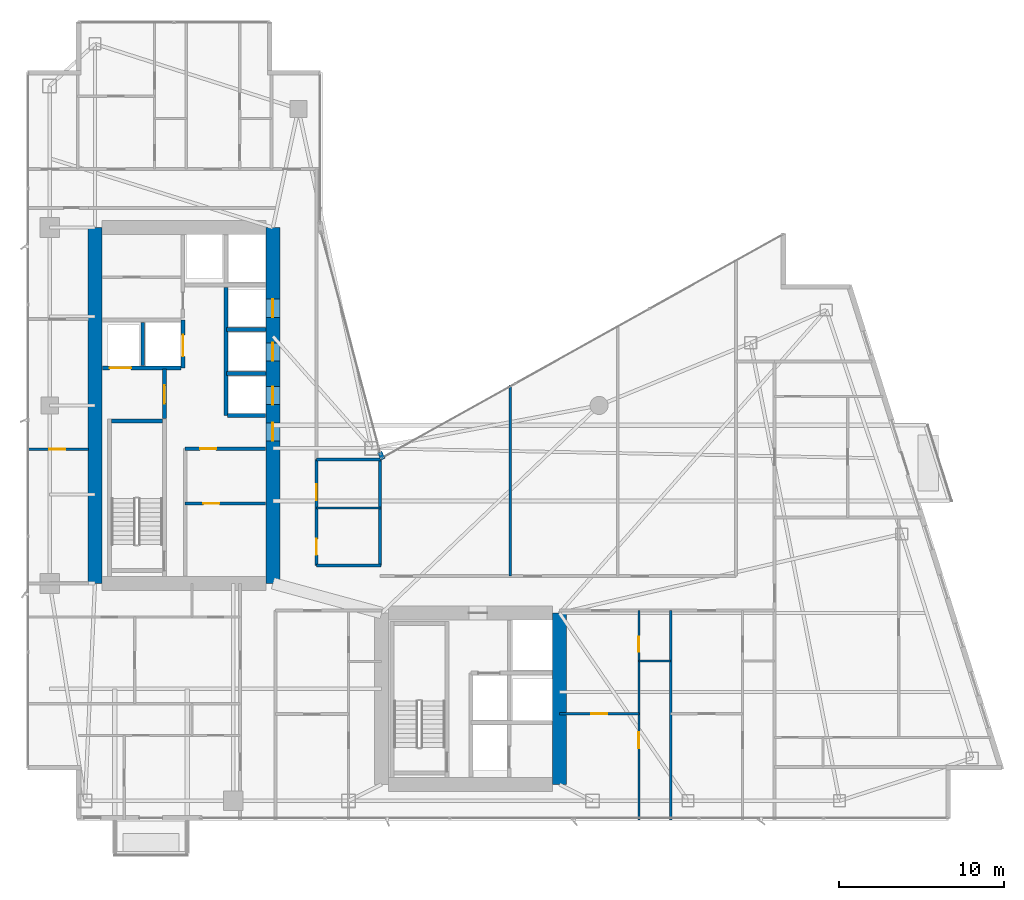
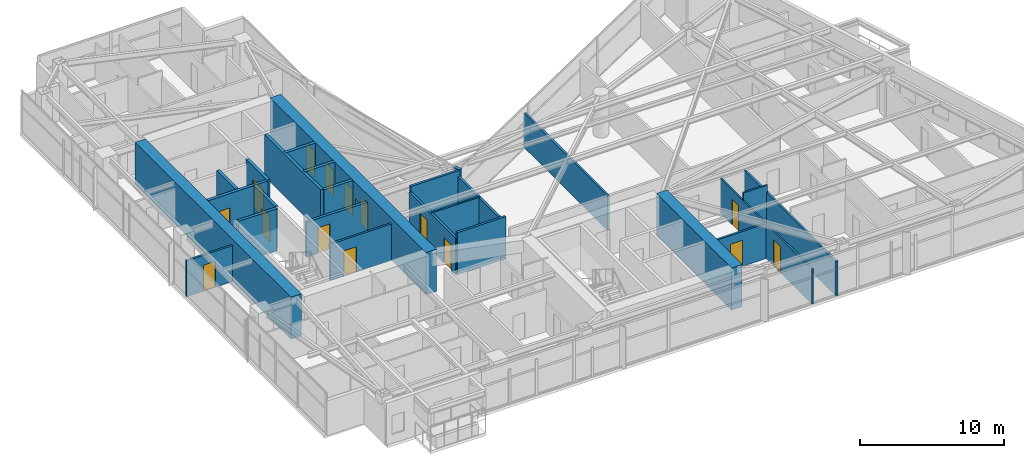
# One storey, part 23 of 28: 26 walls, 15 doors, 15 openings.
"""IFC4 building model written with IfcOpenShell, lengths in metres."""

from ifc_helpers import new_model, si_unit, direction, frame, frame_2d, origin, place, context, subcontext, project, spatial, rectangle, extrude, material, layer, layer_set, type_object, element, fill, save


model = new_model("IFC4")

# Units and contexts
model_context = context("Model", 3, precision=1e-05, world=origin(), true_north=direction((0.0, 1.0)))
body_context = subcontext(model_context, "Body", "Model", "MODEL_VIEW")
ifc_project = project(units=[si_unit("LENGTHUNIT", "METRE"), si_unit("AREAUNIT", "SQUARE_METRE"), si_unit("VOLUMEUNIT", "CUBIC_METRE"), si_unit("PLANEANGLEUNIT", "RADIAN"), si_unit("MASSUNIT", "GRAM", prefix="KILO")], contexts=[model_context])

# Site, building, storey
site_placement = place(None, origin())
site = spatial("IfcSite", under=ifc_project, at=site_placement, CompositionType="ELEMENT")
building_placement = place(site_placement, origin())
building = spatial("IfcBuilding", under=site, at=building_placement, Name="Calvorn Quay Hotel", CompositionType="ELEMENT")
storey_placement = place(building_placement, frame((0.0, 0.0, 159.89990234375)))
storey = spatial("IfcBuildingStorey", under=building, at=storey_placement, Name="L39", CompositionType="ELEMENT", Elevation=159.89990234375)

# Wall
ifc_material_1 = material(Name="Concrete C50", Category="concrete")
ifc_layer_1 = layer(ifc_material_1, 0.85009765625)
ifc_layer_set_1 = layer_set([ifc_layer_1], Name="WL-CORE-850")
wall_type_1 = type_object("IfcWallType", Name="WL-CORE-850", PredefinedType="SHEAR", material=ifc_layer_set_1)
wall_1_placement = place(storey_placement, frame((4.199951171875, 16.800048828125, 0.0), z_axis=(0.0, 0.0, 1.0), x_axis=(0.0, 1.0, 0.0)))
element("IfcWall", 1, at=wall_1_placement, inside=storey, type_object=wall_type_1, Name="West Core Shear Wall W (L39)", PredefinedType="SHEAR", context=body_context, shape_type="SweptSolid", body=[
    extrude(rectangle(XDim=21.599853515625, YDim=0.85009765625, at=frame_2d((10.7998046875, 0.0))), origin(), (0.0, 0.0, 1.0), 3.56005859375),
])

# Wall, openings, doors
wall_2_placement = place(storey_placement, frame((15.0, 16.800048828125, 0.0), z_axis=(0.0, 0.0, 1.0), x_axis=(0.0, 1.0, 0.0)))
wall_2 = element("IfcWall", 2, at=wall_2_placement, inside=storey, type_object=wall_type_1, Name="West Core Shear Wall E (L39)", PredefinedType="SHEAR", context=body_context, shape_type="SweptSolid", body=[
    extrude(rectangle(XDim=21.599853515625, YDim=0.85009765625, at=frame_2d((10.7998046875, 0.0))), origin(), (0.0, 0.0, 1.0), 3.56005859375),
])
opening_1_placement = place(wall_2_placement, frame((8.64990234375, 0.0, 0.0)))
opening_1 = element("IfcOpeningElement", 3, at=opening_1_placement, cuts=wall_2, Name="Opening D-L39-CW1", PredefinedType="OPENING", context=body_context, shape_type="SweptSolid", body=[
    extrude(rectangle(XDim=1.10009765625, YDim=2.199951171875, at=frame_2d((0.550048828125, 1.10009765625))), frame((0.0, 0.43505859375, 0.0), z_axis=(0.0, -1.0, 0.0), x_axis=(1.0, 0.0, 0.0)), (0.0, 0.0, 1.0), 0.8701171875),
])
opening_2_placement = place(wall_2_placement, frame((10.85009765625, 0.0, 0.0)))
opening_2 = element("IfcOpeningElement", 4, at=opening_2_placement, cuts=wall_2, Name="Opening LD-L39-M1", PredefinedType="OPENING", context=body_context, shape_type="SweptSolid", body=[
    extrude(rectangle(XDim=1.10009765625, YDim=2.199951171875, at=frame_2d((0.550048828125, 1.10009765625))), frame((0.0, 0.43505859375, 0.0), z_axis=(0.0, -1.0, 0.0), x_axis=(1.0, 0.0, 0.0)), (0.0, 0.0, 1.0), 0.8701171875),
])
opening_3_placement = place(wall_2_placement, frame((13.5, 0.0, 0.0)))
opening_3 = element("IfcOpeningElement", 5, at=opening_3_placement, cuts=wall_2, Name="Opening LD-L39-M2", PredefinedType="OPENING", context=body_context, shape_type="SweptSolid", body=[
    extrude(rectangle(XDim=1.10009765625, YDim=2.199951171875, at=frame_2d((0.550048828125, 1.10009765625))), frame((0.0, 0.43505859375, 0.0), z_axis=(0.0, -1.0, 0.0), x_axis=(1.0, 0.0, 0.0)), (0.0, 0.0, 1.0), 0.8701171875),
])
opening_4_placement = place(wall_2_placement, frame((16.14990234375, 0.0, 0.0)))
opening_4 = element("IfcOpeningElement", 6, at=opening_4_placement, cuts=wall_2, Name="Opening LD-L39-M3", PredefinedType="OPENING", context=body_context, shape_type="SweptSolid", body=[
    extrude(rectangle(XDim=1.10009765625, YDim=2.199951171875, at=frame_2d((0.550048828125, 1.10009765625))), frame((0.0, 0.43505859375, 0.0), z_axis=(0.0, -1.0, 0.0), x_axis=(1.0, 0.0, 0.0)), (0.0, 0.0, 1.0), 0.8701171875),
])
ifc_material_2 = material(Name="Smoke-Sealed Steel Class A Fire Door", Category="steel")
door_type_1 = type_object("IfcDoorType", Name="DR-FFLOBBY-1100", OperationType="NOTDEFINED", PredefinedType="DOOR", material=ifc_material_2)
door_1_placement = place(opening_1_placement, origin())
door_1 = element("IfcDoor", 7, at=door_1_placement, inside=storey, type_object=door_type_1, Name="West Core Vestibule Fire Door (L39)", OperationType="SINGLE_SWING_RIGHT", OverallHeight=2.199951171875, OverallWidth=1.10009765625, PredefinedType="DOOR", context=body_context, shape_type="SweptSolid", body=[
    extrude(rectangle(XDim=1.10009765625, YDim=2.199951171875, at=frame_2d((0.550048828125, 1.10009765625))), frame((0.0, 0.02490234375, 0.0), z_axis=(0.0, -1.0, 0.0), x_axis=(1.0, 0.0, 0.0)), (0.0, 0.0, 1.0), 0.050048828125),
])
fill(opening_1, door_1)
ifc_material_3 = material(Name="Brushed Stainless Steel Sliding Lift Landing Door", Category="steel")
door_type_2 = type_object("IfcDoorType", Name="DR-LIFT-PASS-1100", OperationType="NOTDEFINED", PredefinedType="DOOR", material=ifc_material_3)
door_2_placement = place(opening_2_placement, origin())
door_2 = element("IfcDoor", 8, at=door_2_placement, inside=storey, type_object=door_type_2, Name="Mid-Rise Lift PL-M1 Landing Door (L39)", OperationType="DOUBLE_DOOR_SLIDING", OverallHeight=2.199951171875, OverallWidth=1.10009765625, PredefinedType="DOOR", context=body_context, shape_type="SweptSolid", body=[
    extrude(rectangle(XDim=1.10009765625, YDim=2.199951171875, at=frame_2d((0.550048828125, 1.10009765625))), frame((0.0, 0.02490234375, 0.0), z_axis=(0.0, -1.0, 0.0), x_axis=(1.0, 0.0, 0.0)), (0.0, 0.0, 1.0), 0.050048828125),
])
fill(opening_2, door_2)
door_3_placement = place(opening_3_placement, origin())
door_3 = element("IfcDoor", 9, at=door_3_placement, inside=storey, type_object=door_type_2, Name="Mid-Rise Lift PL-M2 Landing Door (L39)", OperationType="DOUBLE_DOOR_SLIDING", OverallHeight=2.199951171875, OverallWidth=1.10009765625, PredefinedType="DOOR", context=body_context, shape_type="SweptSolid", body=[
    extrude(rectangle(XDim=1.10009765625, YDim=2.199951171875, at=frame_2d((0.550048828125, 1.10009765625))), frame((0.0, 0.02490234375, 0.0), z_axis=(0.0, -1.0, 0.0), x_axis=(1.0, 0.0, 0.0)), (0.0, 0.0, 1.0), 0.050048828125),
])
fill(opening_3, door_3)
door_4_placement = place(opening_4_placement, origin())
door_4 = element("IfcDoor", 10, at=door_4_placement, inside=storey, type_object=door_type_2, Name="Mid-Rise Lift PL-M3 Landing Door (L39)", OperationType="DOUBLE_DOOR_SLIDING", OverallHeight=2.199951171875, OverallWidth=1.10009765625, PredefinedType="DOOR", context=body_context, shape_type="SweptSolid", body=[
    extrude(rectangle(XDim=1.10009765625, YDim=2.199951171875, at=frame_2d((0.550048828125, 1.10009765625))), frame((0.0, 0.02490234375, 0.0), z_axis=(0.0, -1.0, 0.0), x_axis=(1.0, 0.0, 0.0)), (0.0, 0.0, 1.0), 0.050048828125),
])
fill(opening_4, door_4)

# Walls
wall_3_placement = place(storey_placement, frame((32.39990234375, 4.60009765625, 0.0), z_axis=(0.0, 0.0, 1.0), x_axis=(0.0, 1.0, 0.0)))
element("IfcWall", 11, at=wall_3_placement, inside=storey, type_object=wall_type_1, Name="East Core Shear Wall E (L39)", PredefinedType="SHEAR", context=body_context, shape_type="SweptSolid", body=[
    extrude(rectangle(XDim=10.39990234375, YDim=0.85009765625, at=frame_2d((5.199951171875, 0.0))), origin(), (0.0, 0.0, 1.0), 3.56005859375),
])
ifc_material_4 = material(Name="Acoustic Fireboard Steel-Stud Partition", Category="steel")
ifc_layer_2 = layer(ifc_material_4, 0.179931640625)
ifc_layer_set_2 = layer_set([ifc_layer_2], Name="WL-CORR-FIRE-180")
wall_type_2 = type_object("IfcWallType", Name="WL-CORR-FIRE-180", PredefinedType="PARTITIONING", material=ifc_layer_set_2)
wall_4_placement = place(storey_placement, frame((17.64990234375, 17.8798828125, 0.0), z_axis=(0.0, 0.0, 1.0), x_axis=(1.0, 0.0, 0.0)))
element("IfcWall", 12, at=wall_4_placement, inside=storey, type_object=wall_type_2, Name="Partition Wall L39-WL-HK-S", PredefinedType="PARTITIONING", context=body_context, shape_type="SweptSolid", body=[
    extrude(rectangle(XDim=3.900146484375, YDim=0.179931640625, at=frame_2d((1.9501953125, 0.0))), origin(), (0.0, 0.0, 1.0), 3.56005859375),
])
wall_5_placement = place(storey_placement, frame((17.64990234375, 24.320068359375, 0.0), z_axis=(0.0, 0.0, 1.0), x_axis=(1.0, 0.0, 0.0)))
element("IfcWall", 13, at=wall_5_placement, inside=storey, type_object=wall_type_2, Name="Partition Wall L39-WL-HK-N", PredefinedType="PARTITIONING", context=body_context, shape_type="SweptSolid", body=[
    extrude(rectangle(XDim=3.9501953125, YDim=0.179931640625, at=frame_2d((1.97509765625, 0.0))), origin(), (0.0, 0.0, 1.0), 3.56005859375),
])
wall_6_placement = place(storey_placement, frame((21.5, 17.8798828125, 0.0), z_axis=(0.0, 0.0, 1.0), x_axis=(0.0, 1.0, 0.0)))
element("IfcWall", 14, at=wall_6_placement, inside=storey, type_object=wall_type_2, Name="Partition Wall L39-WL-HK-E", PredefinedType="PARTITIONING", context=body_context, shape_type="SweptSolid", body=[
    extrude(rectangle(XDim=6.440185546875, YDim=0.179931640625, at=frame_2d((3.22021484375, 0.0))), origin(), (0.0, 0.0, 1.0), 3.090087890625),
])

# Wall, openings, doors
wall_7_placement = place(storey_placement, frame((17.64990234375, 17.8798828125, 0.0), z_axis=(0.0, 0.0, 1.0), x_axis=(0.0, 1.0, 0.0)))
wall_7 = element("IfcWall", 15, at=wall_7_placement, inside=storey, type_object=wall_type_2, Name="Partition Wall L39-WL-HK-W", PredefinedType="PARTITIONING", context=body_context, shape_type="SweptSolid", body=[
    extrude(rectangle(XDim=6.440185546875, YDim=0.179931640625, at=frame_2d((3.22021484375, 0.0))), origin(), (0.0, 0.0, 1.0), 3.090087890625),
])
opening_5_placement = place(wall_7_placement, frame((0.64990234375, 0.0, 0.0)))
opening_5 = element("IfcOpeningElement", 16, at=opening_5_placement, cuts=wall_7, Name="Opening D-L39-HK", PredefinedType="OPENING", context=body_context, shape_type="SweptSolid", body=[
    extrude(rectangle(XDim=0.97998046875, YDim=2.14990234375, at=frame_2d((0.489990234375, 1.074951171875))), frame((0.0, 0.099853515625, 0.0), z_axis=(0.0, -1.0, 0.0), x_axis=(1.0, 0.0, 0.0)), (0.0, 0.0, 1.0), 0.199951171875),
])
opening_6_placement = place(wall_7_placement, frame((3.969970703125, 0.0, 0.0)))
opening_6 = element("IfcOpeningElement", 17, at=opening_6_placement, cuts=wall_7, Name="Opening D-L39-NCP", PredefinedType="OPENING", context=body_context, shape_type="SweptSolid", body=[
    extrude(rectangle(XDim=0.9599609375, YDim=2.199951171875, at=frame_2d((0.47998046875, 1.10009765625))), frame((0.0, 0.099853515625, 0.0), z_axis=(0.0, -1.0, 0.0), x_axis=(1.0, 0.0, 0.0)), (0.0, 0.0, 1.0), 0.199951171875),
])
ifc_material_5 = material(Name="Painted Steel Housekeeping/Riser Fire Door", Category="steel")
door_type_3 = type_object("IfcDoorType", Name="DR-SERVICE-980", OperationType="NOTDEFINED", PredefinedType="DOOR", material=ifc_material_5)
door_5_placement = place(opening_5_placement, origin())
door_5 = element("IfcDoor", 18, at=door_5_placement, inside=storey, type_object=door_type_3, Name="Floor Housekeeping Door (L39)", OperationType="SINGLE_SWING_LEFT", OverallHeight=2.14990234375, OverallWidth=0.97998046875, PredefinedType="DOOR", context=body_context, shape_type="SweptSolid", body=[
    extrude(rectangle(XDim=0.97998046875, YDim=2.14990234375, at=frame_2d((0.489990234375, 1.074951171875))), frame((0.0, 0.02490234375, 0.0), z_axis=(0.0, -1.0, 0.0), x_axis=(1.0, 0.0, 0.0)), (0.0, 0.0, 1.0), 0.050048828125),
])
fill(opening_5, door_5)
ifc_material_6 = material(Name="Solid Timber Internal Suite Door", Category="wood")
door_type_4 = type_object("IfcDoorType", Name="DR-SUITE-INT-960", OperationType="NOTDEFINED", PredefinedType="DOOR", material=ifc_material_6)
door_6_placement = place(opening_6_placement, origin())
door_6 = element("IfcDoor", 19, at=door_6_placement, inside=storey, type_object=door_type_4, Name="Reading Alcove Door (L39)", OperationType="SINGLE_SWING_RIGHT", OverallHeight=2.199951171875, OverallWidth=0.9599609375, PredefinedType="DOOR", context=body_context, shape_type="SweptSolid", body=[
    extrude(rectangle(XDim=0.9599609375, YDim=2.199951171875, at=frame_2d((0.47998046875, 1.10009765625))), frame((0.0, 0.02490234375, 0.0), z_axis=(0.0, -1.0, 0.0), x_axis=(1.0, 0.0, 0.0)), (0.0, 0.0, 1.0), 0.050048828125),
])
fill(opening_6, door_6)

# Walls
ifc_material_7 = material(Name="Moisture-Resistant Tile-Backed Partition")
ifc_layer_3 = layer(ifc_material_7, 0.125)
ifc_layer_set_3 = layer_set([ifc_layer_3], Name="WL-ENSUITE-125")
wall_type_3 = type_object("IfcWallType", Name="WL-ENSUITE-125", PredefinedType="PARTITIONING", material=ifc_layer_set_3)
wall_8_placement = place(storey_placement, frame((17.64990234375, 21.3798828125, 0.0), z_axis=(0.0, 0.0, 1.0), x_axis=(1.0, 0.0, 0.0)))
element("IfcWall", 20, at=wall_8_placement, inside=storey, type_object=wall_type_3, Name="Partition Wall L39-WL-HK-M", PredefinedType="PARTITIONING", context=body_context, shape_type="SweptSolid", body=[
    extrude(rectangle(XDim=3.900146484375, YDim=0.125, at=frame_2d((1.9501953125, 0.0))), origin(), (0.0, 0.0, 1.0), 3.090087890625),
])
wall_9_placement = place(storey_placement, frame((37.219970703125, 12.10009765625, 0.0), z_axis=(0.0, 0.0, 1.0), x_axis=(1.0, 0.0, 0.0)))
element("IfcWall", 21, at=wall_9_placement, inside=storey, type_object=wall_type_3, Name="Partition Wall L39-WL-U06-BDV", PredefinedType="PARTITIONING", context=body_context, shape_type="SweptSolid", body=[
    extrude(rectangle(XDim=1.929931640625, YDim=0.125, at=frame_2d((0.96484375, 0.0))), origin(), (0.0, 0.0, 1.0), 3.56005859375),
])

# Wall, openings, doors
wall_10_placement = place(storey_placement, frame((37.219970703125, 2.43994140625, 0.0), z_axis=(0.0, 0.0, 1.0), x_axis=(0.0, 1.0, 0.0)))
wall_10 = element("IfcWall", 22, at=wall_10_placement, inside=storey, type_object=wall_type_3, Name="Partition Wall L39-WL-U06-BV", PredefinedType="PARTITIONING", context=body_context, shape_type="SweptSolid", body=[
    extrude(rectangle(XDim=12.7099609375, YDim=0.125, at=frame_2d((6.35498046875, 0.0))), origin(), (0.0, 0.0, 1.0), 2.940185546875),
])
opening_7_placement = place(wall_10_placement, frame((4.35009765625, 0.0, 0.0)))
opening_7 = element("IfcOpeningElement", 23, at=opening_7_placement, cuts=wall_10, Name="Opening D-L39-S06", PredefinedType="OPENING", context=body_context, shape_type="SweptSolid", body=[
    extrude(rectangle(XDim=0.9599609375, YDim=2.199951171875, at=frame_2d((0.47998046875, 1.10009765625))), frame((0.0, 0.072509765625, 0.0), z_axis=(0.0, -1.0, 0.0), x_axis=(1.0, 0.0, 0.0)), (0.0, 0.0, 1.0), 0.14501953125),
])
opening_8_placement = place(wall_10_placement, frame((10.2099609375, 0.0, 0.0)))
opening_8 = element("IfcOpeningElement", 24, at=opening_8_placement, cuts=wall_10, Name="Opening D-L39-E06", PredefinedType="OPENING", context=body_context, shape_type="SweptSolid", body=[
    extrude(rectangle(XDim=0.89990234375, YDim=2.14990234375, at=frame_2d((0.449951171875, 1.074951171875))), frame((0.0, 0.072509765625, 0.0), z_axis=(0.0, -1.0, 0.0), x_axis=(1.0, 0.0, 0.0)), (0.0, 0.0, 1.0), 0.14501953125),
])
ifc_material_8 = material(Name="Moisture-Sealed Timber En-Suite Door", Category="wood")
door_type_5 = type_object("IfcDoorType", Name="DR-ENSUITE-900", OperationType="NOTDEFINED", PredefinedType="DOOR", material=ifc_material_8)
door_7_placement = place(opening_8_placement, origin())
door_7 = element("IfcDoor", 25, at=door_7_placement, inside=storey, type_object=door_type_5, Name="En-Suite Door 06", OperationType="SINGLE_SWING_RIGHT", OverallHeight=2.14990234375, OverallWidth=0.89990234375, PredefinedType="DOOR", context=body_context, shape_type="SweptSolid", body=[
    extrude(rectangle(XDim=0.89990234375, YDim=2.14990234375, at=frame_2d((0.449951171875, 1.074951171875))), frame((0.0, 0.02490234375, 0.0), z_axis=(0.0, -1.0, 0.0), x_axis=(1.0, 0.0, 0.0)), (0.0, 0.0, 1.0), 0.050048828125),
])
fill(opening_8, door_7)
door_8_placement = place(opening_7_placement, origin())
door_8 = element("IfcDoor", 26, at=door_8_placement, inside=storey, type_object=door_type_4, Name="Botanical Winter Garden Door 06", OperationType="SINGLE_SWING_LEFT", OverallHeight=2.199951171875, OverallWidth=0.9599609375, PredefinedType="DOOR", context=body_context, shape_type="SweptSolid", body=[
    extrude(rectangle(XDim=0.9599609375, YDim=2.199951171875, at=frame_2d((0.47998046875, 1.10009765625))), frame((0.0, 0.02490234375, 0.0), z_axis=(0.0, -1.0, 0.0), x_axis=(1.0, 0.0, 0.0)), (0.0, 0.0, 1.0), 0.050048828125),
])
fill(opening_7, door_8)

# Wall
ifc_material_9 = material(Name="Concrete C40", Category="concrete")
ifc_layer_4 = layer(ifc_material_9, 0.320068359375)
ifc_layer_set_4 = layer_set([ifc_layer_4], Name="WL-EXT-SPANDREL-320")
wall_type_4 = type_object("IfcWallType", Name="WL-EXT-SPANDREL-320", PredefinedType="SOLIDWALL", material=ifc_layer_set_4)
wall_11_placement = place(storey_placement, frame((21.679931640625, 24.340087890625, 0.0), z_axis=(0.0, 0.0, 1.0), x_axis=(-0.40758134973, 0.913168901875, 0.0)))
element("IfcWall", 27, at=wall_11_placement, inside=storey, type_object=wall_type_4, Name="Inner Court Corner Pier L39-ICJ1", PredefinedType="SOLIDWALL", context=body_context, shape_type="SweptSolid", body=[
    extrude(rectangle(XDim=0.470703125, YDim=0.280029296875, at=frame_2d((0.2353515625, 0.0))), origin(), (0.0, 0.0, 1.0), 3.56005859375),
])

# Wall, opening, door
ifc_material_10 = material(Name="Double-Stud Acoustic Gypsum Partition")
ifc_layer_5 = layer(ifc_material_10, 0.159912109375)
ifc_layer_set_5 = layer_set([ifc_layer_5], Name="WL-INTERSUITE-160")
wall_type_5 = type_object("IfcWallType", Name="WL-INTERSUITE-160", PredefinedType="PARTITIONING", material=ifc_layer_set_5)
wall_12_placement = place(storey_placement, frame((9.679931640625, 21.64990234375, 0.0), z_axis=(0.0, 0.0, 1.0), x_axis=(1.0, 0.0, 0.0)))
wall_12 = element("IfcWall", 28, at=wall_12_placement, inside=storey, type_object=wall_type_5, Name="Partition Wall L39-WL-CWW-FR-SPLIT", PredefinedType="PARTITIONING", context=body_context, shape_type="SweptSolid", body=[
    extrude(rectangle(XDim=4.875, YDim=0.159912109375, at=frame_2d((2.4375, 0.0))), origin(), (0.0, 0.0, 1.0), 3.090087890625),
])
opening_9_placement = place(wall_12_placement, frame((1.10009765625, 0.0, 0.0)))
opening_9 = element("IfcOpeningElement", 29, at=opening_9_placement, cuts=wall_12, Name="Opening D-L39-FRL1", PredefinedType="OPENING", context=body_context, shape_type="SweptSolid", body=[
    extrude(rectangle(XDim=0.97998046875, YDim=2.14990234375, at=frame_2d((0.489990234375, 1.074951171875))), frame((0.0, 0.08984375, 0.0), z_axis=(0.0, -1.0, 0.0), x_axis=(1.0, 0.0, 0.0)), (0.0, 0.0, 1.0), 0.179931640625),
])
door_9_placement = place(opening_9_placement, origin())
door_9 = element("IfcDoor", 30, at=door_9_placement, inside=storey, type_object=door_type_3, Name="Linen Store Room Door (L39)", OperationType="SINGLE_SWING_LEFT", OverallHeight=2.14990234375, OverallWidth=0.97998046875, PredefinedType="DOOR", context=body_context, shape_type="SweptSolid", body=[
    extrude(rectangle(XDim=0.97998046875, YDim=2.14990234375, at=frame_2d((0.489990234375, 1.074951171875))), frame((0.0, 0.02490234375, 0.0), z_axis=(0.0, -1.0, 0.0), x_axis=(1.0, 0.0, 0.0)), (0.0, 0.0, 1.0), 0.050048828125),
])
fill(opening_9, door_9)

wall_13_placement = place(storey_placement, frame((0.080078125, 24.949951171875, 0.0), z_axis=(0.0, 0.0, 1.0), x_axis=(1.0, 0.0, 0.0)))
wall_13 = element("IfcWall", 31, at=wall_13_placement, inside=storey, type_object=wall_type_5, Name="Partition Wall L39-WL-WBAY-DIVA", PredefinedType="PARTITIONING", context=body_context, shape_type="SweptSolid", body=[
    extrude(rectangle(XDim=3.724853515625, YDim=0.159912109375, at=frame_2d((1.8623046875, 0.0))), origin(), (0.0, 0.0, 1.0), 3.0400390625),
])
opening_10_placement = place(wall_13_placement, frame((1.35009765625, 0.0, 0.0)))
opening_10 = element("IfcOpeningElement", 32, at=opening_10_placement, cuts=wall_13, Name="Opening D-L39-WBA", PredefinedType="OPENING", context=body_context, shape_type="SweptSolid", body=[
    extrude(rectangle(XDim=0.9599609375, YDim=2.199951171875, at=frame_2d((0.47998046875, 1.10009765625))), frame((0.0, 0.08984375, 0.0), z_axis=(0.0, -1.0, 0.0), x_axis=(1.0, 0.0, 0.0)), (0.0, 0.0, 1.0), 0.179931640625),
])
door_10_placement = place(opening_10_placement, origin())
door_10 = element("IfcDoor", 33, at=door_10_placement, inside=storey, type_object=door_type_4, Name="West South Connecting Door (L39)", OperationType="SINGLE_SWING_LEFT", OverallHeight=2.199951171875, OverallWidth=0.9599609375, PredefinedType="DOOR", context=body_context, shape_type="SweptSolid", body=[
    extrude(rectangle(XDim=0.9599609375, YDim=2.199951171875, at=frame_2d((0.47998046875, 1.10009765625))), frame((0.0, 0.02490234375, 0.0), z_axis=(0.0, -1.0, 0.0), x_axis=(1.0, 0.0, 0.0)), (0.0, 0.0, 1.0), 0.050048828125),
])
fill(opening_10, door_10)

wall_14_placement = place(storey_placement, frame((32.39990234375, 8.8798828125, 0.0), z_axis=(0.0, 0.0, 1.0), x_axis=(1.0, 0.0, 0.0)))
wall_14 = element("IfcWall", 34, at=wall_14_placement, inside=storey, type_object=wall_type_5, Name="Partition Wall L39-WL-U06-MSP", PredefinedType="PARTITIONING", context=body_context, shape_type="SweptSolid", body=[
    extrude(rectangle(XDim=4.820068359375, YDim=0.159912109375, at=frame_2d((2.41015625, 0.0))), origin(), (0.0, 0.0, 1.0), 2.940185546875),
])
opening_11_placement = place(wall_14_placement, frame((1.929931640625, 0.0, 0.0)))
opening_11 = element("IfcOpeningElement", 35, at=opening_11_placement, cuts=wall_14, Name="Opening D-L39-M06", PredefinedType="OPENING", context=body_context, shape_type="SweptSolid", body=[
    extrude(rectangle(XDim=0.9599609375, YDim=2.199951171875, at=frame_2d((0.47998046875, 1.10009765625))), frame((0.0, 0.08984375, 0.0), z_axis=(0.0, -1.0, 0.0), x_axis=(1.0, 0.0, 0.0)), (0.0, 0.0, 1.0), 0.179931640625),
])
door_11_placement = place(opening_11_placement, origin())
door_11 = element("IfcDoor", 36, at=door_11_placement, inside=storey, type_object=door_type_4, Name="Suite Bedroom Door 06", OperationType="SINGLE_SWING_LEFT", OverallHeight=2.199951171875, OverallWidth=0.9599609375, PredefinedType="DOOR", context=body_context, shape_type="SweptSolid", body=[
    extrude(rectangle(XDim=0.9599609375, YDim=2.199951171875, at=frame_2d((0.47998046875, 1.10009765625))), frame((0.0, 0.02490234375, 0.0), z_axis=(0.0, -1.0, 0.0), x_axis=(1.0, 0.0, 0.0)), (0.0, 0.0, 1.0), 0.050048828125),
])
fill(opening_11, door_11)

# Walls
wall_15_placement = place(storey_placement, frame((39.14990234375, 2.43994140625, 0.0), z_axis=(0.0, 0.0, 1.0), x_axis=(0.0, 1.0, 0.0)))
element("IfcWall", 37, at=wall_15_placement, inside=storey, type_object=wall_type_5, Name="Partition Wall L39-WL-SE-DIV-1", PredefinedType="PARTITIONING", context=body_context, shape_type="SweptSolid", body=[
    extrude(rectangle(XDim=12.7099609375, YDim=0.159912109375, at=frame_2d((6.35498046875, 0.0))), origin(), (0.0, 0.0, 1.0), 2.940185546875),
])
wall_16_placement = place(storey_placement, frame((29.419921875, 17.25, 0.0), z_axis=(0.0, 0.0, 1.0), x_axis=(0.0, 1.0, 0.0)))
element("IfcWall", 38, at=wall_16_placement, inside=storey, type_object=wall_type_5, Name="Partition Wall L39-WL-NE-DIV-1", PredefinedType="PARTITIONING", context=body_context, shape_type="SweptSolid", body=[
    extrude(rectangle(XDim=11.590087890625, YDim=0.159912109375, at=frame_2d((5.794921875, 0.0))), origin(), (0.0, 0.0, 1.0), 2.940185546875),
])

# Wall, opening, door
ifc_material_11 = material(Name="Autoclaved Aerated Masonry Block", Category="masonry")
ifc_layer_6 = layer(ifc_material_11, 0.219970703125)
ifc_layer_set_6 = layer_set([ifc_layer_6], Name="WL-LOBBY-FIRE-220")
wall_type_6 = type_object("IfcWallType", Name="WL-LOBBY-FIRE-220", PredefinedType="SOLIDWALL", material=ifc_layer_set_6)
wall_17_placement = place(storey_placement, frame((9.679931640625, 24.969970703125, 0.0), z_axis=(0.0, 0.0, 1.0), x_axis=(1.0, 0.0, 0.0)))
wall_17 = element("IfcWall", 39, at=wall_17_placement, inside=storey, type_object=wall_type_6, Name="Partition Wall L39-WL-CWW-FR-N", PredefinedType="SOLIDWALL", context=body_context, shape_type="SweptSolid", body=[
    extrude(rectangle(XDim=4.875, YDim=0.219970703125, at=frame_2d((2.4375, 0.0))), origin(), (0.0, 0.0, 1.0), 2.940185546875),
])
opening_12_placement = place(wall_17_placement, frame((0.89990234375, 0.0, 0.0)))
opening_12 = element("IfcOpeningElement", 40, at=opening_12_placement, cuts=wall_17, Name="Opening D-L39-FRL2", PredefinedType="OPENING", context=body_context, shape_type="SweptSolid", body=[
    extrude(rectangle(XDim=0.97998046875, YDim=2.14990234375, at=frame_2d((0.489990234375, 1.074951171875))), frame((0.0, 0.119873046875, 0.0), z_axis=(0.0, -1.0, 0.0), x_axis=(1.0, 0.0, 0.0)), (0.0, 0.0, 1.0), 0.239990234375),
])
door_12_placement = place(opening_12_placement, origin())
door_12 = element("IfcDoor", 41, at=door_12_placement, inside=storey, type_object=door_type_3, Name="Beverage Pantry Door (L39)", OperationType="SINGLE_SWING_RIGHT", OverallHeight=2.14990234375, OverallWidth=0.97998046875, PredefinedType="DOOR", context=body_context, shape_type="SweptSolid", body=[
    extrude(rectangle(XDim=0.97998046875, YDim=2.14990234375, at=frame_2d((0.489990234375, 1.074951171875))), frame((0.0, 0.02490234375, 0.0), z_axis=(0.0, -1.0, 0.0), x_axis=(1.0, 0.0, 0.0)), (0.0, 0.0, 1.0), 0.050048828125),
])
fill(opening_12, door_12)

# Walls
ifc_material_12 = material(Name="Concrete C40", Category="concrete")
ifc_layer_7 = layer(ifc_material_12, 0.239990234375)
ifc_layer_set_7 = layer_set([ifc_layer_7], Name="WL-SHAFT-240")
wall_type_7 = type_object("IfcWallType", Name="WL-SHAFT-240", PredefinedType="SOLIDWALL", material=ifc_layer_set_7)
wall_18_placement = place(storey_placement, frame((5.199951171875, 26.669921875, 0.0), z_axis=(0.0, 0.0, 1.0), x_axis=(1.0, 0.0, 0.0)))
element("IfcWall", 42, at=wall_18_placement, inside=storey, type_object=wall_type_7, Name="Stair STW Shaft Wall N (L39)", PredefinedType="SOLIDWALL", context=body_context, shape_type="SweptSolid", body=[
    extrude(rectangle(XDim=3.10009765625, YDim=0.239990234375, at=frame_2d((1.550048828125, 0.0))), origin(), (0.0, 0.0, 1.0), 3.56005859375),
])
for number, where, z_axis, x_axis, name in (
    (43, (12.179931640625, 29.550048828125, 0.0), (0.0, 0.0, 1.0), (1.0, 0.0, 0.0), "Lift Hoistway Divider Wall PLM12 (L39)"),
    (44, (12.179931640625, 32.199951171875, 0.0), (0.0, 0.0, 1.0), (1.0, 0.0, 0.0), "Lift Hoistway Divider Wall PLM23 (L39)"),
):
    element("IfcWall", number, at=place(storey_placement, frame(where, z_axis=z_axis, x_axis=x_axis)), inside=storey, type_object=wall_type_7, Name=name, PredefinedType="SOLIDWALL", context=body_context, shape_type="SweptSolid", body=[
        extrude(rectangle(XDim=2.39501953125, YDim=0.239990234375, at=frame_2d((1.197509765625, 0.0))), origin(), (0.0, 0.0, 1.0), 3.56005859375),
    ])

# Wall, opening, door
wall_19_placement = place(storey_placement, frame((8.419921875, 26.820068359375, 0.0), z_axis=(0.0, 0.0, 1.0), x_axis=(0.0, 1.0, 0.0)))
wall_19 = element("IfcWall", 45, at=wall_19_placement, inside=storey, type_object=wall_type_7, Name="Partition Wall L39-WL-CWW-FFL-E", PredefinedType="SOLIDWALL", context=body_context, shape_type="SweptSolid", body=[
    extrude(rectangle(XDim=3.0, YDim=0.239990234375, at=frame_2d((1.5, 0.0))), origin(), (0.0, 0.0, 1.0), 3.56005859375),
])
opening_13_placement = place(wall_19_placement, frame((0.89990234375, 0.0, 0.0)))
opening_13 = element("IfcOpeningElement", 46, at=opening_13_placement, cuts=wall_19, Name="Opening D-L39-FLW", PredefinedType="OPENING", context=body_context, shape_type="SweptSolid", body=[
    extrude(rectangle(XDim=1.10009765625, YDim=2.199951171875, at=frame_2d((0.550048828125, 1.10009765625))), frame((0.0, 0.1298828125, 0.0), z_axis=(0.0, -1.0, 0.0), x_axis=(1.0, 0.0, 0.0)), (0.0, 0.0, 1.0), 0.260009765625),
])
door_13_placement = place(opening_13_placement, origin())
door_13 = element("IfcDoor", 47, at=door_13_placement, inside=storey, type_object=door_type_1, Name="West Firefighting Lobby Fire Door (L39)", OperationType="SINGLE_SWING_RIGHT", OverallHeight=2.199951171875, OverallWidth=1.10009765625, PredefinedType="DOOR", context=body_context, shape_type="SweptSolid", body=[
    extrude(rectangle(XDim=1.10009765625, YDim=2.199951171875, at=frame_2d((0.550048828125, 1.10009765625))), frame((0.0, 0.02490234375, 0.0), z_axis=(0.0, -1.0, 0.0), x_axis=(1.0, 0.0, 0.0)), (0.0, 0.0, 1.0), 0.050048828125),
])
fill(opening_13, door_13)

wall_20_placement = place(storey_placement, frame((4.64501953125, 29.8798828125, 0.0), z_axis=(0.0, 0.0, 1.0), x_axis=(1.0, 0.0, 0.0)))
wall_20 = element("IfcWall", 48, at=wall_20_placement, inside=storey, type_object=wall_type_7, Name="Partition Wall L39-WL-CWW-FLW-S", PredefinedType="SOLIDWALL", context=body_context, shape_type="SweptSolid", body=[
    extrude(rectangle(XDim=4.77490234375, YDim=0.239990234375, at=frame_2d((2.387451171875, 0.0))), origin(), (0.0, 0.0, 1.0), 3.56005859375),
])
opening_14_placement = place(wall_20_placement, frame((0.449951171875, 0.0, 0.0)))
opening_14 = element("IfcOpeningElement", 49, at=opening_14_placement, cuts=wall_20, Name="Opening LD-L39-FLW1", PredefinedType="OPENING", context=body_context, shape_type="SweptSolid", body=[
    extrude(rectangle(XDim=1.300048828125, YDim=2.35009765625, at=frame_2d((0.64990234375, 1.175048828125))), frame((0.0, 0.1298828125, 0.0), z_axis=(0.0, -1.0, 0.0), x_axis=(1.0, 0.0, 0.0)), (0.0, 0.0, 1.0), 0.260009765625),
])
ifc_material_13 = material(Name="Champagne-Bronze Sliding Express Lift Landing Door")
door_type_6 = type_object("IfcDoorType", Name="DR-LIFT-SHUTTLE-1300", OperationType="NOTDEFINED", PredefinedType="DOOR", material=ifc_material_13)
door_14_placement = place(opening_14_placement, origin())
door_14 = element("IfcDoor", 50, at=door_14_placement, inside=storey, type_object=door_type_6, Name="Firefighting Lift FL-W1 Landing Door (L39)", OperationType="DOUBLE_DOOR_SLIDING", OverallHeight=2.35009765625, OverallWidth=1.300048828125, PredefinedType="DOOR", context=body_context, shape_type="SweptSolid", body=[
    extrude(rectangle(XDim=1.300048828125, YDim=2.35009765625, at=frame_2d((0.64990234375, 1.175048828125))), frame((0.0, 0.02490234375, 0.0), z_axis=(0.0, -1.0, 0.0), x_axis=(1.0, 0.0, 0.0)), (0.0, 0.0, 1.0), 0.050048828125),
])
fill(opening_14, door_14)

# Wall
wall_21_placement = place(storey_placement, frame((7.10009765625, 30.02001953125, 0.0), z_axis=(0.0, 0.0, 1.0), x_axis=(0.0, 1.0, 0.0)))
element("IfcWall", 51, at=wall_21_placement, inside=storey, type_object=wall_type_7, Name="Partition Wall L39-WL-CWW-FLW-DIV", PredefinedType="SOLIDWALL", context=body_context, shape_type="SweptSolid", body=[
    extrude(rectangle(XDim=2.6298828125, YDim=0.239990234375, at=frame_2d((1.31494140625, 0.0))), origin(), (0.0, 0.0, 1.0), 3.56005859375),
])

# Wall, opening, door
wall_22_placement = place(storey_placement, frame((9.5400390625, 29.8798828125, 0.0), z_axis=(0.0, 0.0, 1.0), x_axis=(0.0, 1.0, 0.0)))
wall_22 = element("IfcWall", 52, at=wall_22_placement, inside=storey, type_object=wall_type_7, Name="Partition Wall L39-WL-CWW-SLW-E", PredefinedType="SOLIDWALL", context=body_context, shape_type="SweptSolid", body=[
    extrude(rectangle(XDim=2.900146484375, YDim=0.239990234375, at=frame_2d((1.4501953125, 0.0))), origin(), (0.0, 0.0, 1.0), 3.56005859375),
])
opening_15_placement = place(wall_22_placement, frame((0.699951171875, 0.0, 0.0)))
opening_15 = element("IfcOpeningElement", 53, at=opening_15_placement, cuts=wall_22, Name="Opening LD-L39-SLW1", PredefinedType="OPENING", context=body_context, shape_type="SweptSolid", body=[
    extrude(rectangle(XDim=1.300048828125, YDim=2.35009765625, at=frame_2d((0.64990234375, 1.175048828125))), frame((0.0, 0.1298828125, 0.0), z_axis=(0.0, -1.0, 0.0), x_axis=(1.0, 0.0, 0.0)), (0.0, 0.0, 1.0), 0.260009765625),
])
door_15_placement = place(opening_15_placement, origin())
door_15 = element("IfcDoor", 54, at=door_15_placement, inside=storey, type_object=door_type_6, Name="Service Lift SL-W1 Landing Door (L39)", OperationType="DOUBLE_DOOR_SLIDING", OverallHeight=2.35009765625, OverallWidth=1.300048828125, PredefinedType="DOOR", context=body_context, shape_type="SweptSolid", body=[
    extrude(rectangle(XDim=1.300048828125, YDim=2.35009765625, at=frame_2d((0.64990234375, 1.175048828125))), frame((0.0, 0.02490234375, 0.0), z_axis=(0.0, -1.0, 0.0), x_axis=(1.0, 0.0, 0.0)), (0.0, 0.0, 1.0), 0.050048828125),
])
fill(opening_15, door_15)

# Walls
wall_23_placement = place(storey_placement, frame((12.25, 27.0, 0.0), z_axis=(0.0, 0.0, 1.0), x_axis=(1.0, 0.0, 0.0)))
element("IfcWall", 55, at=wall_23_placement, inside=storey, type_object=wall_type_7, Name="Partition Wall L39-WL-CWW-PLM-S", PredefinedType="SOLIDWALL", context=body_context, shape_type="SweptSolid", body=[
    extrude(rectangle(XDim=2.304931640625, YDim=0.239990234375, at=frame_2d((1.15234375, 0.0))), origin(), (0.0, 0.0, 1.0), 3.56005859375),
])
wall_24_placement = place(storey_placement, frame((12.14990234375, 27.0, 0.0), z_axis=(0.0, 0.0, 1.0), x_axis=(0.0, 1.0, 0.0)))
element("IfcWall", 56, at=wall_24_placement, inside=storey, type_object=wall_type_7, Name="Partition Wall L39-WL-CWW-PLM-W", PredefinedType="SOLIDWALL", context=body_context, shape_type="SweptSolid", body=[
    extrude(rectangle(XDim=7.75, YDim=0.239990234375, at=frame_2d((3.875, 0.0))), origin(), (0.0, 0.0, 1.0), 3.56005859375),
])

save(model, "model.ifc")
